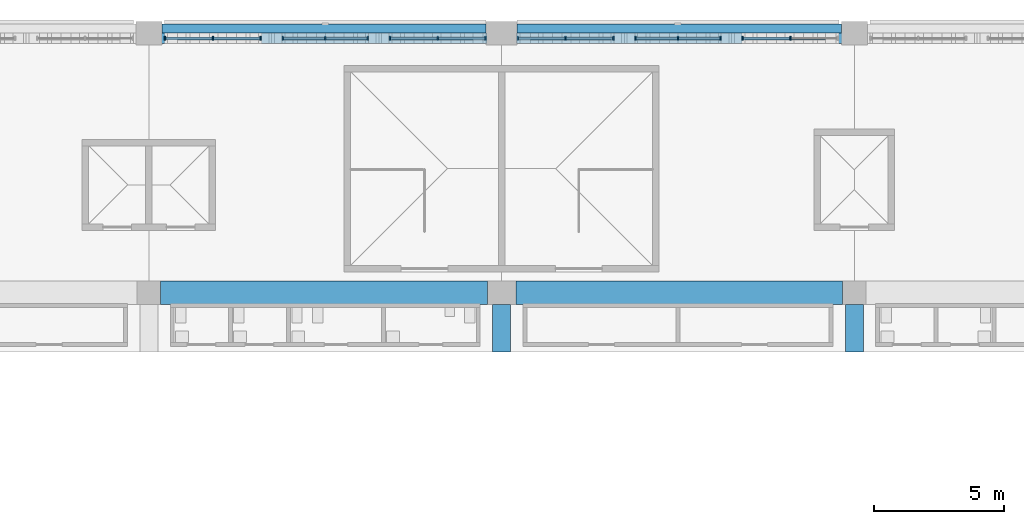
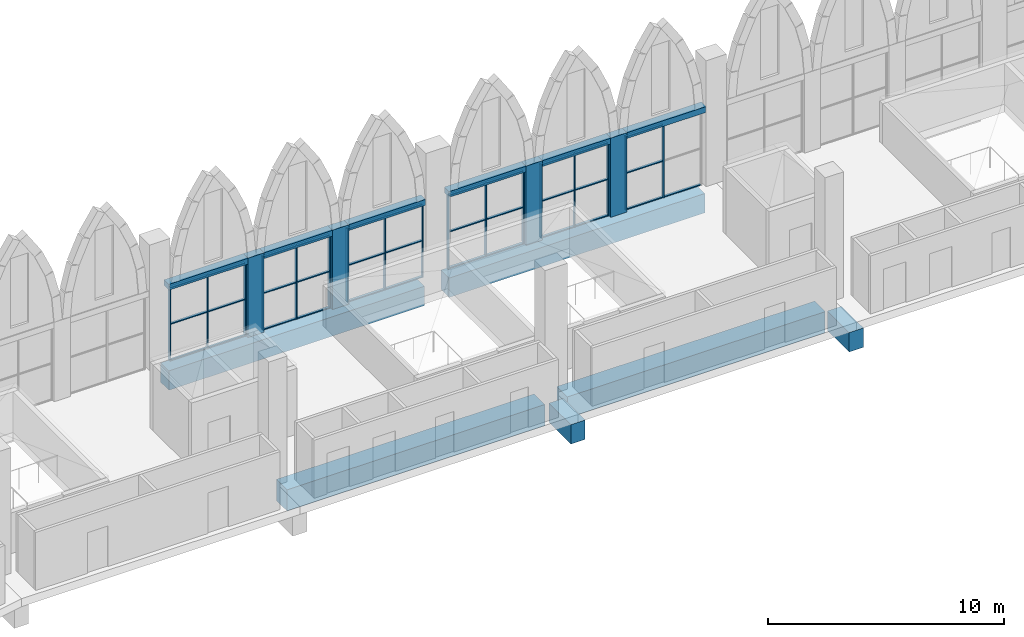
# One storey, part 36 of 130: 55 members, 12 beams, 6 elements without a shape of their own.
"""IFC4 building model written with IfcOpenShell, lengths in metres."""

from ifc_helpers import new_model, si_unit, direction, frame, origin, origin_2d, place, context, subcontext, project, spatial, rectangle, extrude, material, material_profile, profile_set, type_object, element, aggregate, save


model = new_model("IFC4")

# Units and contexts
model_context = context("Model", 3, precision=1e-05, world=origin(), true_north=direction((0.0, 1.0)))
body_context = subcontext(model_context, "Body", "Model", "MODEL_VIEW")
ifc_project = project(units=[si_unit("LENGTHUNIT", "METRE"), si_unit("AREAUNIT", "SQUARE_METRE"), si_unit("VOLUMEUNIT", "CUBIC_METRE"), si_unit("PLANEANGLEUNIT", "RADIAN"), si_unit("MASSUNIT", "GRAM", prefix="KILO")], contexts=[model_context])

# Site, building, storey
site_placement = place(None, origin())
site = spatial("IfcSite", under=ifc_project, at=site_placement, CompositionType="ELEMENT")
building_placement = place(site_placement, origin())
building = spatial("IfcBuilding", under=site, at=building_placement, Name="Ogive Plaza Stadium", CompositionType="ELEMENT")
storey_placement = place(building_placement, frame((0.0, 0.0, 22.5)))
storey = spatial("IfcBuildingStorey", under=building, at=storey_placement, Name="L05", CompositionType="ELEMENT", Elevation=22.5)

# Curtain wall, members
ifc_material_1 = material(Name="Bronze-anodised aluminium with laminated glass", Category="aluminium")
curtain_wall_type = type_object("IfcCurtainWallType", Name="Lancet curtain wall", PredefinedType="NOTDEFINED", material=ifc_material_1)
curtain_wall_1_placement = place(storey_placement, origin())
curtain_wall_1 = element("IfcCurtainWall", 1, at=curtain_wall_1_placement, inside=storey, type_object=curtain_wall_type, Name="CURTAIN WALL B33 L05", PredefinedType="NOTDEFINED")
ifc_material_2 = material(Name="Bronze-anodised aluminium", Category="aluminium")
ifc_material_profile_1 = material_profile(ifc_material_2, rectangle(XDim=0.14990234375, YDim=0.050048828125, at=origin_2d()), Name="AL 150x50")
ifc_profile_set_1 = profile_set([ifc_material_profile_1], Name="Bronze-anodised aluminium")
member_type_1 = type_object("IfcMemberType", Name="Curtain wall mullion 50x150", PredefinedType="MULLION", material=ifc_profile_set_1)
member_1_placement = place(storey_placement, frame((-19.77490234375, 102.300048828125, 0.0), z_axis=(0.0, 0.0, 1.0), x_axis=(0.0, 1.0, 0.0)))
member_1 = element("IfcMember", 2, at=member_1_placement, type_object=member_type_1, Name="CW-B33-L05.1 mullion 1", PredefinedType="MULLION", context=body_context, shape_type="SweptSolid", body=[
    extrude(rectangle(XDim=0.14990234375, YDim=0.050048828125, at=origin_2d()), origin(), (0.0, 0.0, 1.0), 3.800048828125),
])
member_2_placement = place(storey_placement, frame((-17.933349609375, 102.300048828125, 0.0), z_axis=(0.0, 0.0, 1.0), x_axis=(0.0, 1.0, 0.0)))
member_2 = element("IfcMember", 3, at=member_2_placement, type_object=member_type_1, Name="CW-B33-L05.1 mullion 2", PredefinedType="MULLION", context=body_context, shape_type="SweptSolid", body=[
    extrude(rectangle(XDim=0.14990234375, YDim=0.050048828125, at=origin_2d()), origin(), (0.0, 0.0, 1.0), 3.800048828125),
])
member_3_placement = place(storey_placement, frame((-16.091552734375, 102.300048828125, 0.0), z_axis=(0.0, 0.0, 1.0), x_axis=(0.0, 1.0, 0.0)))
member_3 = element("IfcMember", 4, at=member_3_placement, type_object=member_type_1, Name="CW-B33-L05.1 mullion 3", PredefinedType="MULLION", context=body_context, shape_type="SweptSolid", body=[
    extrude(rectangle(XDim=0.14990234375, YDim=0.050048828125, at=origin_2d()), origin(), (0.0, 0.0, 1.0), 3.800048828125),
])

curtain_wall_2_placement = place(storey_placement, origin())
curtain_wall_2 = element("IfcCurtainWall", 5, at=curtain_wall_2_placement, inside=storey, type_object=curtain_wall_type, Name="CURTAIN WALL B33 L05", PredefinedType="NOTDEFINED")
member_4_placement = place(storey_placement, frame((-15.24169921875, 102.300048828125, 0.0), z_axis=(0.0, 0.0, 1.0), x_axis=(0.0, 1.0, 0.0)))
member_4 = element("IfcMember", 6, at=member_4_placement, type_object=member_type_1, Name="CW-B33-L05.2 mullion 1", PredefinedType="MULLION", context=body_context, shape_type="SweptSolid", body=[
    extrude(rectangle(XDim=0.14990234375, YDim=0.050048828125, at=origin_2d()), origin(), (0.0, 0.0, 1.0), 3.800048828125),
])
member_5_placement = place(storey_placement, frame((-13.60009765625, 102.300048828125, 0.0), z_axis=(0.0, 0.0, 1.0), x_axis=(0.0, 1.0, 0.0)))
member_5 = element("IfcMember", 7, at=member_5_placement, type_object=member_type_1, Name="CW-B33-L05.2 mullion 2", PredefinedType="MULLION", context=body_context, shape_type="SweptSolid", body=[
    extrude(rectangle(XDim=0.14990234375, YDim=0.050048828125, at=origin_2d()), origin(), (0.0, 0.0, 1.0), 3.800048828125),
])
member_6_placement = place(storey_placement, frame((-11.958251953125, 102.300048828125, 0.0), z_axis=(0.0, 0.0, 1.0), x_axis=(0.0, 1.0, 0.0)))
member_6 = element("IfcMember", 8, at=member_6_placement, type_object=member_type_1, Name="CW-B33-L05.2 mullion 3", PredefinedType="MULLION", context=body_context, shape_type="SweptSolid", body=[
    extrude(rectangle(XDim=0.14990234375, YDim=0.050048828125, at=origin_2d()), origin(), (0.0, 0.0, 1.0), 3.800048828125),
])

curtain_wall_3_placement = place(storey_placement, origin())
curtain_wall_3 = element("IfcCurtainWall", 9, at=curtain_wall_3_placement, inside=storey, type_object=curtain_wall_type, Name="CURTAIN WALL B33 L05", PredefinedType="NOTDEFINED")
member_7_placement = place(storey_placement, frame((-11.1083984375, 102.300048828125, 0.0), z_axis=(0.0, 0.0, 1.0), x_axis=(0.0, 1.0, 0.0)))
member_7 = element("IfcMember", 10, at=member_7_placement, type_object=member_type_1, Name="CW-B33-L05.3 mullion 1", PredefinedType="MULLION", context=body_context, shape_type="SweptSolid", body=[
    extrude(rectangle(XDim=0.14990234375, YDim=0.050048828125, at=origin_2d()), origin(), (0.0, 0.0, 1.0), 3.800048828125),
])
member_8_placement = place(storey_placement, frame((-9.2666015625, 102.300048828125, 0.0), z_axis=(0.0, 0.0, 1.0), x_axis=(0.0, 1.0, 0.0)))
member_8 = element("IfcMember", 11, at=member_8_placement, type_object=member_type_1, Name="CW-B33-L05.3 mullion 2", PredefinedType="MULLION", context=body_context, shape_type="SweptSolid", body=[
    extrude(rectangle(XDim=0.14990234375, YDim=0.050048828125, at=origin_2d()), origin(), (0.0, 0.0, 1.0), 3.800048828125),
])
member_9_placement = place(storey_placement, frame((-7.425048828125, 102.300048828125, 0.0), z_axis=(0.0, 0.0, 1.0), x_axis=(0.0, 1.0, 0.0)))
member_9 = element("IfcMember", 12, at=member_9_placement, type_object=member_type_1, Name="CW-B33-L05.3 mullion 3", PredefinedType="MULLION", context=body_context, shape_type="SweptSolid", body=[
    extrude(rectangle(XDim=0.14990234375, YDim=0.050048828125, at=origin_2d()), origin(), (0.0, 0.0, 1.0), 3.800048828125),
])

curtain_wall_4_placement = place(storey_placement, origin())
curtain_wall_4 = element("IfcCurtainWall", 13, at=curtain_wall_4_placement, inside=storey, type_object=curtain_wall_type, Name="CURTAIN WALL B34 L05", PredefinedType="NOTDEFINED")
member_10_placement = place(storey_placement, frame((-6.175048828125, 102.300048828125, 0.0), z_axis=(0.0, 0.0, 1.0), x_axis=(0.0, 1.0, 0.0)))
member_10 = element("IfcMember", 14, at=member_10_placement, type_object=member_type_1, Name="CW-B34-L05.1 mullion 1", PredefinedType="MULLION", context=body_context, shape_type="SweptSolid", body=[
    extrude(rectangle(XDim=0.14990234375, YDim=0.050048828125, at=origin_2d()), origin(), (0.0, 0.0, 1.0), 3.800048828125),
])
member_11_placement = place(storey_placement, frame((-4.333251953125, 102.300048828125, 0.0), z_axis=(0.0, 0.0, 1.0), x_axis=(0.0, 1.0, 0.0)))
member_11 = element("IfcMember", 15, at=member_11_placement, type_object=member_type_1, Name="CW-B34-L05.1 mullion 2", PredefinedType="MULLION", context=body_context, shape_type="SweptSolid", body=[
    extrude(rectangle(XDim=0.14990234375, YDim=0.050048828125, at=origin_2d()), origin(), (0.0, 0.0, 1.0), 3.800048828125),
])
member_12_placement = place(storey_placement, frame((-2.49169921875, 102.300048828125, 0.0), z_axis=(0.0, 0.0, 1.0), x_axis=(0.0, 1.0, 0.0)))
member_12 = element("IfcMember", 16, at=member_12_placement, type_object=member_type_1, Name="CW-B34-L05.1 mullion 3", PredefinedType="MULLION", context=body_context, shape_type="SweptSolid", body=[
    extrude(rectangle(XDim=0.14990234375, YDim=0.050048828125, at=origin_2d()), origin(), (0.0, 0.0, 1.0), 3.800048828125),
])

curtain_wall_5_placement = place(storey_placement, origin())
curtain_wall_5 = element("IfcCurtainWall", 17, at=curtain_wall_5_placement, inside=storey, type_object=curtain_wall_type, Name="CURTAIN WALL B34 L05", PredefinedType="NOTDEFINED")
member_13_placement = place(storey_placement, frame((-1.6416015625, 102.300048828125, 0.0), z_axis=(0.0, 0.0, 1.0), x_axis=(0.0, 1.0, 0.0)))
member_13 = element("IfcMember", 18, at=member_13_placement, type_object=member_type_1, Name="CW-B34-L05.2 mullion 1", PredefinedType="MULLION", context=body_context, shape_type="SweptSolid", body=[
    extrude(rectangle(XDim=0.14990234375, YDim=0.050048828125, at=origin_2d()), origin(), (0.0, 0.0, 1.0), 3.800048828125),
])
member_14_placement = place(storey_placement, frame((0.0, 102.300048828125, 0.0), z_axis=(0.0, 0.0, 1.0), x_axis=(0.0, 1.0, 0.0)))
member_14 = element("IfcMember", 19, at=member_14_placement, type_object=member_type_1, Name="CW-B34-L05.2 mullion 2", PredefinedType="MULLION", context=body_context, shape_type="SweptSolid", body=[
    extrude(rectangle(XDim=0.14990234375, YDim=0.050048828125, at=origin_2d()), origin(), (0.0, 0.0, 1.0), 3.800048828125),
])
member_15_placement = place(storey_placement, frame((1.6416015625, 102.300048828125, 0.0), z_axis=(0.0, 0.0, 1.0), x_axis=(0.0, 1.0, 0.0)))
member_15 = element("IfcMember", 20, at=member_15_placement, type_object=member_type_1, Name="CW-B34-L05.2 mullion 3", PredefinedType="MULLION", context=body_context, shape_type="SweptSolid", body=[
    extrude(rectangle(XDim=0.14990234375, YDim=0.050048828125, at=origin_2d()), origin(), (0.0, 0.0, 1.0), 3.800048828125),
])

curtain_wall_6_placement = place(storey_placement, origin())
curtain_wall_6 = element("IfcCurtainWall", 21, at=curtain_wall_6_placement, inside=storey, type_object=curtain_wall_type, Name="CURTAIN WALL B34 L05", PredefinedType="NOTDEFINED")
member_16_placement = place(storey_placement, frame((2.49169921875, 102.300048828125, 0.0), z_axis=(0.0, 0.0, 1.0), x_axis=(0.0, 1.0, 0.0)))
member_16 = element("IfcMember", 22, at=member_16_placement, type_object=member_type_1, Name="CW-B34-L05.3 mullion 1", PredefinedType="MULLION", context=body_context, shape_type="SweptSolid", body=[
    extrude(rectangle(XDim=0.14990234375, YDim=0.050048828125, at=origin_2d()), origin(), (0.0, 0.0, 1.0), 3.800048828125),
])
member_17_placement = place(storey_placement, frame((4.333251953125, 102.300048828125, 0.0), z_axis=(0.0, 0.0, 1.0), x_axis=(0.0, 1.0, 0.0)))
member_17 = element("IfcMember", 23, at=member_17_placement, type_object=member_type_1, Name="CW-B34-L05.3 mullion 2", PredefinedType="MULLION", context=body_context, shape_type="SweptSolid", body=[
    extrude(rectangle(XDim=0.14990234375, YDim=0.050048828125, at=origin_2d()), origin(), (0.0, 0.0, 1.0), 3.800048828125),
])

# Member
ifc_material_3 = material(Name="Bronze-anodised aluminium", Category="aluminium")
ifc_material_profile_2 = material_profile(ifc_material_3, rectangle(XDim=0.1201171875, YDim=0.050048828125, at=origin_2d()), Name="AL 120x50")
ifc_profile_set_2 = profile_set([ifc_material_profile_2], Name="Bronze-anodised aluminium")
member_type_2 = type_object("IfcMemberType", Name="Curtain wall transom 50x120", PredefinedType="USERDEFINED", material=ifc_profile_set_2)
member_18_placement = place(storey_placement, frame((-19.75, 102.300048828125, 0.02490234375), z_axis=(1.0, 0.0, 0.0), x_axis=(0.0, 1.0, 0.0)))
member_18 = element("IfcMember", 24, at=member_18_placement, type_object=member_type_2, Name="CW-B33-L05.1 transom 1.1", ObjectType="TRANSOM", PredefinedType="USERDEFINED", context=body_context, shape_type="SweptSolid", body=[
    extrude(rectangle(XDim=0.1201171875, YDim=0.050048828125, at=origin_2d()), origin(), (0.0, 0.0, 1.0), 1.791748046875),
])

member_19_placement = place(storey_placement, frame((-19.75, 102.300048828125, 1.89990234375), z_axis=(1.0, 0.0, 0.0), x_axis=(0.0, 1.0, 0.0)))
member_19 = element("IfcMember", 25, at=member_19_placement, type_object=member_type_2, Name="CW-B33-L05.1 transom 1.2", ObjectType="TRANSOM", PredefinedType="USERDEFINED", context=body_context, shape_type="SweptSolid", body=[
    extrude(rectangle(XDim=0.1201171875, YDim=0.050048828125, at=origin_2d()), origin(), (0.0, 0.0, 1.0), 1.791748046875),
])

member_20_placement = place(storey_placement, frame((-19.75, 102.300048828125, 3.77490234375), z_axis=(1.0, 0.0, 0.0), x_axis=(0.0, 1.0, 0.0)))
member_20 = element("IfcMember", 26, at=member_20_placement, type_object=member_type_2, Name="CW-B33-L05.1 transom 1.3", ObjectType="TRANSOM", PredefinedType="USERDEFINED", context=body_context, shape_type="SweptSolid", body=[
    extrude(rectangle(XDim=0.1201171875, YDim=0.050048828125, at=origin_2d()), origin(), (0.0, 0.0, 1.0), 1.791748046875),
])

member_21_placement = place(storey_placement, frame((-17.908447265625, 102.300048828125, 0.02490234375), z_axis=(1.0, 0.0, 0.0), x_axis=(0.0, 1.0, 0.0)))
member_21 = element("IfcMember", 27, at=member_21_placement, type_object=member_type_2, Name="CW-B33-L05.1 transom 2.1", ObjectType="TRANSOM", PredefinedType="USERDEFINED", context=body_context, shape_type="SweptSolid", body=[
    extrude(rectangle(XDim=0.1201171875, YDim=0.050048828125, at=origin_2d()), origin(), (0.0, 0.0, 1.0), 1.791748046875),
])

member_22_placement = place(storey_placement, frame((-17.908447265625, 102.300048828125, 1.89990234375), z_axis=(1.0, 0.0, 0.0), x_axis=(0.0, 1.0, 0.0)))
member_22 = element("IfcMember", 28, at=member_22_placement, type_object=member_type_2, Name="CW-B33-L05.1 transom 2.2", ObjectType="TRANSOM", PredefinedType="USERDEFINED", context=body_context, shape_type="SweptSolid", body=[
    extrude(rectangle(XDim=0.1201171875, YDim=0.050048828125, at=origin_2d()), origin(), (0.0, 0.0, 1.0), 1.791748046875),
])

member_23_placement = place(storey_placement, frame((-17.908447265625, 102.300048828125, 3.77490234375), z_axis=(1.0, 0.0, 0.0), x_axis=(0.0, 1.0, 0.0)))
member_23 = element("IfcMember", 29, at=member_23_placement, type_object=member_type_2, Name="CW-B33-L05.1 transom 2.3", ObjectType="TRANSOM", PredefinedType="USERDEFINED", context=body_context, shape_type="SweptSolid", body=[
    extrude(rectangle(XDim=0.1201171875, YDim=0.050048828125, at=origin_2d()), origin(), (0.0, 0.0, 1.0), 1.791748046875),
])

aggregate(curtain_wall_1, [member_1, member_2, member_3, member_18, member_19, member_20, member_21, member_22, member_23])

member_24_placement = place(storey_placement, frame((-15.216552734375, 102.300048828125, 0.02490234375), z_axis=(1.0, 0.0, 0.0), x_axis=(0.0, 1.0, 0.0)))
member_24 = element("IfcMember", 30, at=member_24_placement, type_object=member_type_2, Name="CW-B33-L05.2 transom 1.1", ObjectType="TRANSOM", PredefinedType="USERDEFINED", context=body_context, shape_type="SweptSolid", body=[
    extrude(rectangle(XDim=0.1201171875, YDim=0.050048828125, at=origin_2d()), origin(), (0.0, 0.0, 1.0), 1.591552734375),
])

member_25_placement = place(storey_placement, frame((-15.216552734375, 102.300048828125, 1.89990234375), z_axis=(1.0, 0.0, 0.0), x_axis=(0.0, 1.0, 0.0)))
member_25 = element("IfcMember", 31, at=member_25_placement, type_object=member_type_2, Name="CW-B33-L05.2 transom 1.2", ObjectType="TRANSOM", PredefinedType="USERDEFINED", context=body_context, shape_type="SweptSolid", body=[
    extrude(rectangle(XDim=0.1201171875, YDim=0.050048828125, at=origin_2d()), origin(), (0.0, 0.0, 1.0), 1.591552734375),
])

member_26_placement = place(storey_placement, frame((-15.216552734375, 102.300048828125, 3.77490234375), z_axis=(1.0, 0.0, 0.0), x_axis=(0.0, 1.0, 0.0)))
member_26 = element("IfcMember", 32, at=member_26_placement, type_object=member_type_2, Name="CW-B33-L05.2 transom 1.3", ObjectType="TRANSOM", PredefinedType="USERDEFINED", context=body_context, shape_type="SweptSolid", body=[
    extrude(rectangle(XDim=0.1201171875, YDim=0.050048828125, at=origin_2d()), origin(), (0.0, 0.0, 1.0), 1.591552734375),
])

member_27_placement = place(storey_placement, frame((-13.574951171875, 102.300048828125, 0.02490234375), z_axis=(1.0, 0.0, 0.0), x_axis=(0.0, 1.0, 0.0)))
member_27 = element("IfcMember", 33, at=member_27_placement, type_object=member_type_2, Name="CW-B33-L05.2 transom 2.1", ObjectType="TRANSOM", PredefinedType="USERDEFINED", context=body_context, shape_type="SweptSolid", body=[
    extrude(rectangle(XDim=0.1201171875, YDim=0.050048828125, at=origin_2d()), origin(), (0.0, 0.0, 1.0), 1.591552734375),
])

member_28_placement = place(storey_placement, frame((-13.574951171875, 102.300048828125, 1.89990234375), z_axis=(1.0, 0.0, 0.0), x_axis=(0.0, 1.0, 0.0)))
member_28 = element("IfcMember", 34, at=member_28_placement, type_object=member_type_2, Name="CW-B33-L05.2 transom 2.2", ObjectType="TRANSOM", PredefinedType="USERDEFINED", context=body_context, shape_type="SweptSolid", body=[
    extrude(rectangle(XDim=0.1201171875, YDim=0.050048828125, at=origin_2d()), origin(), (0.0, 0.0, 1.0), 1.591552734375),
])

member_29_placement = place(storey_placement, frame((-13.574951171875, 102.300048828125, 3.77490234375), z_axis=(1.0, 0.0, 0.0), x_axis=(0.0, 1.0, 0.0)))
member_29 = element("IfcMember", 35, at=member_29_placement, type_object=member_type_2, Name="CW-B33-L05.2 transom 2.3", ObjectType="TRANSOM", PredefinedType="USERDEFINED", context=body_context, shape_type="SweptSolid", body=[
    extrude(rectangle(XDim=0.1201171875, YDim=0.050048828125, at=origin_2d()), origin(), (0.0, 0.0, 1.0), 1.591552734375),
])

aggregate(curtain_wall_2, [member_4, member_5, member_6, member_24, member_25, member_26, member_27, member_28, member_29])

member_30_placement = place(storey_placement, frame((-11.083251953125, 102.300048828125, 0.02490234375), z_axis=(1.0, 0.0, 0.0), x_axis=(0.0, 1.0, 0.0)))
member_30 = element("IfcMember", 36, at=member_30_placement, type_object=member_type_2, Name="CW-B33-L05.3 transom 1.1", ObjectType="TRANSOM", PredefinedType="USERDEFINED", context=body_context, shape_type="SweptSolid", body=[
    extrude(rectangle(XDim=0.1201171875, YDim=0.050048828125, at=origin_2d()), origin(), (0.0, 0.0, 1.0), 1.79150390625),
])

member_31_placement = place(storey_placement, frame((-11.083251953125, 102.300048828125, 1.89990234375), z_axis=(1.0, 0.0, 0.0), x_axis=(0.0, 1.0, 0.0)))
member_31 = element("IfcMember", 37, at=member_31_placement, type_object=member_type_2, Name="CW-B33-L05.3 transom 1.2", ObjectType="TRANSOM", PredefinedType="USERDEFINED", context=body_context, shape_type="SweptSolid", body=[
    extrude(rectangle(XDim=0.1201171875, YDim=0.050048828125, at=origin_2d()), origin(), (0.0, 0.0, 1.0), 1.79150390625),
])

member_32_placement = place(storey_placement, frame((-11.083251953125, 102.300048828125, 3.77490234375), z_axis=(1.0, 0.0, 0.0), x_axis=(0.0, 1.0, 0.0)))
member_32 = element("IfcMember", 38, at=member_32_placement, type_object=member_type_2, Name="CW-B33-L05.3 transom 1.3", ObjectType="TRANSOM", PredefinedType="USERDEFINED", context=body_context, shape_type="SweptSolid", body=[
    extrude(rectangle(XDim=0.1201171875, YDim=0.050048828125, at=origin_2d()), origin(), (0.0, 0.0, 1.0), 1.79150390625),
])

member_33_placement = place(storey_placement, frame((-9.24169921875, 102.300048828125, 0.02490234375), z_axis=(1.0, 0.0, 0.0), x_axis=(0.0, 1.0, 0.0)))
member_33 = element("IfcMember", 39, at=member_33_placement, type_object=member_type_2, Name="CW-B33-L05.3 transom 2.1", ObjectType="TRANSOM", PredefinedType="USERDEFINED", context=body_context, shape_type="SweptSolid", body=[
    extrude(rectangle(XDim=0.1201171875, YDim=0.050048828125, at=origin_2d()), origin(), (0.0, 0.0, 1.0), 1.791748046875),
])

member_34_placement = place(storey_placement, frame((-9.24169921875, 102.300048828125, 1.89990234375), z_axis=(1.0, 0.0, 0.0), x_axis=(0.0, 1.0, 0.0)))
member_34 = element("IfcMember", 40, at=member_34_placement, type_object=member_type_2, Name="CW-B33-L05.3 transom 2.2", ObjectType="TRANSOM", PredefinedType="USERDEFINED", context=body_context, shape_type="SweptSolid", body=[
    extrude(rectangle(XDim=0.1201171875, YDim=0.050048828125, at=origin_2d()), origin(), (0.0, 0.0, 1.0), 1.791748046875),
])

member_35_placement = place(storey_placement, frame((-9.24169921875, 102.300048828125, 3.77490234375), z_axis=(1.0, 0.0, 0.0), x_axis=(0.0, 1.0, 0.0)))
member_35 = element("IfcMember", 41, at=member_35_placement, type_object=member_type_2, Name="CW-B33-L05.3 transom 2.3", ObjectType="TRANSOM", PredefinedType="USERDEFINED", context=body_context, shape_type="SweptSolid", body=[
    extrude(rectangle(XDim=0.1201171875, YDim=0.050048828125, at=origin_2d()), origin(), (0.0, 0.0, 1.0), 1.791748046875),
])

aggregate(curtain_wall_3, [member_7, member_8, member_9, member_30, member_31, member_32, member_33, member_34, member_35])

member_36_placement = place(storey_placement, frame((-6.14990234375, 102.300048828125, 0.02490234375), z_axis=(1.0, 0.0, 0.0), x_axis=(0.0, 1.0, 0.0)))
member_36 = element("IfcMember", 42, at=member_36_placement, type_object=member_type_2, Name="CW-B34-L05.1 transom 1.1", ObjectType="TRANSOM", PredefinedType="USERDEFINED", context=body_context, shape_type="SweptSolid", body=[
    extrude(rectangle(XDim=0.1201171875, YDim=0.050048828125, at=origin_2d()), origin(), (0.0, 0.0, 1.0), 1.79150390625),
])

member_37_placement = place(storey_placement, frame((-6.14990234375, 102.300048828125, 1.89990234375), z_axis=(1.0, 0.0, 0.0), x_axis=(0.0, 1.0, 0.0)))
member_37 = element("IfcMember", 43, at=member_37_placement, type_object=member_type_2, Name="CW-B34-L05.1 transom 1.2", ObjectType="TRANSOM", PredefinedType="USERDEFINED", context=body_context, shape_type="SweptSolid", body=[
    extrude(rectangle(XDim=0.1201171875, YDim=0.050048828125, at=origin_2d()), origin(), (0.0, 0.0, 1.0), 1.79150390625),
])

member_38_placement = place(storey_placement, frame((-6.14990234375, 102.300048828125, 3.77490234375), z_axis=(1.0, 0.0, 0.0), x_axis=(0.0, 1.0, 0.0)))
member_38 = element("IfcMember", 44, at=member_38_placement, type_object=member_type_2, Name="CW-B34-L05.1 transom 1.3", ObjectType="TRANSOM", PredefinedType="USERDEFINED", context=body_context, shape_type="SweptSolid", body=[
    extrude(rectangle(XDim=0.1201171875, YDim=0.050048828125, at=origin_2d()), origin(), (0.0, 0.0, 1.0), 1.79150390625),
])

member_39_placement = place(storey_placement, frame((-4.308349609375, 102.300048828125, 0.02490234375), z_axis=(1.0, 0.0, 0.0), x_axis=(0.0, 1.0, 0.0)))
member_39 = element("IfcMember", 45, at=member_39_placement, type_object=member_type_2, Name="CW-B34-L05.1 transom 2.1", ObjectType="TRANSOM", PredefinedType="USERDEFINED", context=body_context, shape_type="SweptSolid", body=[
    extrude(rectangle(XDim=0.1201171875, YDim=0.050048828125, at=origin_2d()), origin(), (0.0, 0.0, 1.0), 1.791748046875),
])

member_40_placement = place(storey_placement, frame((-4.308349609375, 102.300048828125, 1.89990234375), z_axis=(1.0, 0.0, 0.0), x_axis=(0.0, 1.0, 0.0)))
member_40 = element("IfcMember", 46, at=member_40_placement, type_object=member_type_2, Name="CW-B34-L05.1 transom 2.2", ObjectType="TRANSOM", PredefinedType="USERDEFINED", context=body_context, shape_type="SweptSolid", body=[
    extrude(rectangle(XDim=0.1201171875, YDim=0.050048828125, at=origin_2d()), origin(), (0.0, 0.0, 1.0), 1.791748046875),
])

member_41_placement = place(storey_placement, frame((-4.308349609375, 102.300048828125, 3.77490234375), z_axis=(1.0, 0.0, 0.0), x_axis=(0.0, 1.0, 0.0)))
member_41 = element("IfcMember", 47, at=member_41_placement, type_object=member_type_2, Name="CW-B34-L05.1 transom 2.3", ObjectType="TRANSOM", PredefinedType="USERDEFINED", context=body_context, shape_type="SweptSolid", body=[
    extrude(rectangle(XDim=0.1201171875, YDim=0.050048828125, at=origin_2d()), origin(), (0.0, 0.0, 1.0), 1.791748046875),
])

aggregate(curtain_wall_4, [member_10, member_11, member_12, member_36, member_37, member_38, member_39, member_40, member_41])

member_42_placement = place(storey_placement, frame((-1.61669921875, 102.300048828125, 0.02490234375), z_axis=(1.0, 0.0, 0.0), x_axis=(0.0, 1.0, 0.0)))
member_42 = element("IfcMember", 48, at=member_42_placement, type_object=member_type_2, Name="CW-B34-L05.2 transom 1.1", ObjectType="TRANSOM", PredefinedType="USERDEFINED", context=body_context, shape_type="SweptSolid", body=[
    extrude(rectangle(XDim=0.1201171875, YDim=0.050048828125, at=origin_2d()), origin(), (0.0, 0.0, 1.0), 1.591796875),
])

member_43_placement = place(storey_placement, frame((-1.61669921875, 102.300048828125, 1.89990234375), z_axis=(1.0, 0.0, 0.0), x_axis=(0.0, 1.0, 0.0)))
member_43 = element("IfcMember", 49, at=member_43_placement, type_object=member_type_2, Name="CW-B34-L05.2 transom 1.2", ObjectType="TRANSOM", PredefinedType="USERDEFINED", context=body_context, shape_type="SweptSolid", body=[
    extrude(rectangle(XDim=0.1201171875, YDim=0.050048828125, at=origin_2d()), origin(), (0.0, 0.0, 1.0), 1.591796875),
])

member_44_placement = place(storey_placement, frame((-1.61669921875, 102.300048828125, 3.77490234375), z_axis=(1.0, 0.0, 0.0), x_axis=(0.0, 1.0, 0.0)))
member_44 = element("IfcMember", 50, at=member_44_placement, type_object=member_type_2, Name="CW-B34-L05.2 transom 1.3", ObjectType="TRANSOM", PredefinedType="USERDEFINED", context=body_context, shape_type="SweptSolid", body=[
    extrude(rectangle(XDim=0.1201171875, YDim=0.050048828125, at=origin_2d()), origin(), (0.0, 0.0, 1.0), 1.591796875),
])

member_45_placement = place(storey_placement, frame((0.02490234375, 102.300048828125, 0.02490234375), z_axis=(1.0, 0.0, 0.0), x_axis=(0.0, 1.0, 0.0)))
member_45 = element("IfcMember", 51, at=member_45_placement, type_object=member_type_2, Name="CW-B34-L05.2 transom 2.1", ObjectType="TRANSOM", PredefinedType="USERDEFINED", context=body_context, shape_type="SweptSolid", body=[
    extrude(rectangle(XDim=0.1201171875, YDim=0.050048828125, at=origin_2d()), origin(), (0.0, 0.0, 1.0), 1.591796875),
])

member_46_placement = place(storey_placement, frame((0.02490234375, 102.300048828125, 1.89990234375), z_axis=(1.0, 0.0, 0.0), x_axis=(0.0, 1.0, 0.0)))
member_46 = element("IfcMember", 52, at=member_46_placement, type_object=member_type_2, Name="CW-B34-L05.2 transom 2.2", ObjectType="TRANSOM", PredefinedType="USERDEFINED", context=body_context, shape_type="SweptSolid", body=[
    extrude(rectangle(XDim=0.1201171875, YDim=0.050048828125, at=origin_2d()), origin(), (0.0, 0.0, 1.0), 1.591796875),
])

member_47_placement = place(storey_placement, frame((0.02490234375, 102.300048828125, 3.77490234375), z_axis=(1.0, 0.0, 0.0), x_axis=(0.0, 1.0, 0.0)))
member_47 = element("IfcMember", 53, at=member_47_placement, type_object=member_type_2, Name="CW-B34-L05.2 transom 2.3", ObjectType="TRANSOM", PredefinedType="USERDEFINED", context=body_context, shape_type="SweptSolid", body=[
    extrude(rectangle(XDim=0.1201171875, YDim=0.050048828125, at=origin_2d()), origin(), (0.0, 0.0, 1.0), 1.591796875),
])

aggregate(curtain_wall_5, [member_13, member_14, member_15, member_42, member_43, member_44, member_45, member_46, member_47])

member_48_placement = place(storey_placement, frame((2.5166015625, 102.300048828125, 0.02490234375), z_axis=(1.0, 0.0, 0.0), x_axis=(0.0, 1.0, 0.0)))
member_48 = element("IfcMember", 54, at=member_48_placement, type_object=member_type_2, Name="CW-B34-L05.3 transom 1.1", ObjectType="TRANSOM", PredefinedType="USERDEFINED", context=body_context, shape_type="SweptSolid", body=[
    extrude(rectangle(XDim=0.1201171875, YDim=0.050048828125, at=origin_2d()), origin(), (0.0, 0.0, 1.0), 1.791748046875),
])

member_49_placement = place(storey_placement, frame((2.5166015625, 102.300048828125, 1.89990234375), z_axis=(1.0, 0.0, 0.0), x_axis=(0.0, 1.0, 0.0)))
member_49 = element("IfcMember", 55, at=member_49_placement, type_object=member_type_2, Name="CW-B34-L05.3 transom 1.2", ObjectType="TRANSOM", PredefinedType="USERDEFINED", context=body_context, shape_type="SweptSolid", body=[
    extrude(rectangle(XDim=0.1201171875, YDim=0.050048828125, at=origin_2d()), origin(), (0.0, 0.0, 1.0), 1.791748046875),
])

member_50_placement = place(storey_placement, frame((2.5166015625, 102.300048828125, 3.77490234375), z_axis=(1.0, 0.0, 0.0), x_axis=(0.0, 1.0, 0.0)))
member_50 = element("IfcMember", 56, at=member_50_placement, type_object=member_type_2, Name="CW-B34-L05.3 transom 1.3", ObjectType="TRANSOM", PredefinedType="USERDEFINED", context=body_context, shape_type="SweptSolid", body=[
    extrude(rectangle(XDim=0.1201171875, YDim=0.050048828125, at=origin_2d()), origin(), (0.0, 0.0, 1.0), 1.791748046875),
])

member_51_placement = place(storey_placement, frame((4.3583984375, 102.300048828125, 0.02490234375), z_axis=(1.0, 0.0, 0.0), x_axis=(0.0, 1.0, 0.0)))
member_51 = element("IfcMember", 57, at=member_51_placement, type_object=member_type_2, Name="CW-B34-L05.3 transom 2.1", ObjectType="TRANSOM", PredefinedType="USERDEFINED", context=body_context, shape_type="SweptSolid", body=[
    extrude(rectangle(XDim=0.1201171875, YDim=0.050048828125, at=origin_2d()), origin(), (0.0, 0.0, 1.0), 1.79150390625),
])

aggregate(curtain_wall_6, [member_16, member_17, member_48, member_49, member_50, member_51])

# Members
ifc_material_4 = material(Name="Concrete C45/55 precast", Category="concrete")
ifc_material_profile_3 = material_profile(ifc_material_4, rectangle(XDim=0.39990234375, YDim=0.800048828125, at=origin_2d()), Name="RC 400x800")
ifc_profile_set_3 = profile_set([ifc_material_profile_3], Name="Concrete C45/55 precast")
member_type_3 = type_object("IfcMemberType", Name="Precast colonette 800x400", PredefinedType="POST", material=ifc_profile_set_3)
for number, where, z_axis, x_axis, name in (
    (58, (-15.666748046875, 102.300048828125, 0.0), (0.0, 0.0, 1.0), (0.0, 1.0, 0.0), "COLONETTE B33 1"),
    (59, (-11.533447265625, 102.300048828125, 0.0), (0.0, 0.0, 1.0), (0.0, 1.0, 0.0), "COLONETTE B33 2"),
    (60, (-2.066650390625, 102.300048828125, 0.0), (0.0, 0.0, 1.0), (0.0, 1.0, 0.0), "COLONETTE B34 1"),
    (61, (2.066650390625, 102.300048828125, 0.0), (0.0, 0.0, 1.0), (0.0, 1.0, 0.0), "COLONETTE B34 2"),
):
    element("IfcMember", number, at=place(storey_placement, frame(where, z_axis=z_axis, x_axis=x_axis)), inside=storey, type_object=member_type_3, Name=name, PredefinedType="POST", context=body_context, shape_type="SweptSolid", body=[
        extrude(rectangle(XDim=0.39990234375, YDim=0.800048828125, at=origin_2d()), origin(), (0.0, 0.0, 1.0), 4.10009765625),
    ])

# Beams
ifc_material_5 = material(Name="Concrete C45/55 precast", Category="concrete")
ifc_material_profile_4 = material_profile(ifc_material_5, rectangle(XDim=0.39990234375, YDim=0.300048828125, at=origin_2d()), Name="RC 400x300")
ifc_profile_set_4 = profile_set([ifc_material_profile_4], Name="Concrete C45/55 precast")
beam_type_1 = type_object("IfcBeamType", Name="Precast tympanum lintel 400x300", PredefinedType="BEAM", material=ifc_profile_set_4)
beam_1_placement = place(storey_placement, frame((-19.929931640625, 102.300048828125, 3.949951171875), z_axis=(1.0, 0.0, 0.0), x_axis=(0.0, 1.0, 0.0)))
element("IfcBeam", 62, at=beam_1_placement, inside=storey, type_object=beam_type_1, Name="TYMPANUM LINTEL B33 1", PredefinedType="BEAM", context=body_context, shape_type="SweptSolid", body=[
    extrude(rectangle(XDim=0.39990234375, YDim=0.300048828125, at=origin_2d()), origin(), (0.0, 0.0, 1.0), 3.893310546875),
])
beam_2_placement = place(storey_placement, frame((-15.296630859375, 102.300048828125, 3.949951171875), z_axis=(1.0, 0.0, 0.0), x_axis=(0.0, 1.0, 0.0)))
element("IfcBeam", 63, at=beam_2_placement, inside=storey, type_object=beam_type_1, Name="TYMPANUM LINTEL B33 2", PredefinedType="BEAM", context=body_context, shape_type="SweptSolid", body=[
    extrude(rectangle(XDim=0.39990234375, YDim=0.300048828125, at=origin_2d()), origin(), (0.0, 0.0, 1.0), 3.393310546875),
])
for number, where, z_axis, x_axis, name in (
    (64, (-11.163330078125, 102.300048828125, 3.949951171875), (1.0, 0.0, 0.0), (0.0, 1.0, 0.0), "TYMPANUM LINTEL B33 3"),
    (65, (-6.22998046875, 102.300048828125, 3.949951171875), (1.0, 0.0, 0.0), (0.0, 1.0, 0.0), "TYMPANUM LINTEL B34 1"),
):
    element("IfcBeam", number, at=place(storey_placement, frame(where, z_axis=z_axis, x_axis=x_axis)), inside=storey, type_object=beam_type_1, Name=name, PredefinedType="BEAM", context=body_context, shape_type="SweptSolid", body=[
        extrude(rectangle(XDim=0.39990234375, YDim=0.300048828125, at=origin_2d()), origin(), (0.0, 0.0, 1.0), 3.793212890625),
    ])
beam_3_placement = place(storey_placement, frame((-1.69677734375, 102.300048828125, 3.949951171875), z_axis=(1.0, 0.0, 0.0), x_axis=(0.0, 1.0, 0.0)))
element("IfcBeam", 66, at=beam_3_placement, inside=storey, type_object=beam_type_1, Name="TYMPANUM LINTEL B34 2", PredefinedType="BEAM", context=body_context, shape_type="SweptSolid", body=[
    extrude(rectangle(XDim=0.39990234375, YDim=0.300048828125, at=origin_2d()), origin(), (0.0, 0.0, 1.0), 3.3935546875),
])
beam_4_placement = place(storey_placement, frame((2.436767578125, 102.300048828125, 3.949951171875), z_axis=(1.0, 0.0, 0.0), x_axis=(0.0, 1.0, 0.0)))
element("IfcBeam", 67, at=beam_4_placement, inside=storey, type_object=beam_type_1, Name="TYMPANUM LINTEL B34 3", PredefinedType="BEAM", context=body_context, shape_type="SweptSolid", body=[
    extrude(rectangle(XDim=0.39990234375, YDim=0.300048828125, at=origin_2d()), origin(), (0.0, 0.0, 1.0), 3.893310546875),
])
ifc_material_6 = material(Name="Concrete C40/50", Category="concrete")
ifc_material_profile_5 = material_profile(ifc_material_6, rectangle(XDim=0.699951171875, YDim=1.0, at=origin_2d()), Name="RC 700x1000")
ifc_profile_set_5 = profile_set([ifc_material_profile_5], Name="Concrete C40/50")
beam_type_2 = type_object("IfcBeamType", Name="RC radial beam 700x1000", PredefinedType="BEAM", material=ifc_profile_set_5)
for number, where, z_axis, x_axis, name in (
    (68, (-6.800048828125, 90.199951171875, -0.909912109375), (0.0, 1.0, 0.0), (-1.0, 0.0, 0.0), "Raker tail beam UT R34"),
    (69, (6.800048828125, 90.199951171875, -0.909912109375), (0.0, 1.0, 0.0), (-1.0, 0.0, 0.0), "Raker tail beam UT R35"),
):
    element("IfcBeam", number, at=place(storey_placement, frame(where, z_axis=z_axis, x_axis=x_axis)), inside=storey, type_object=beam_type_2, Name=name, PredefinedType="BEAM", context=body_context, shape_type="SweptSolid", body=[
        extrude(rectangle(XDim=0.699951171875, YDim=1.0, at=origin_2d()), origin(), (0.0, 0.0, 1.0), 1.85009765625),
    ])
ifc_material_7 = material(Name="Concrete C40/50", Category="concrete")
ifc_material_profile_6 = material_profile(ifc_material_7, rectangle(XDim=0.89990234375, YDim=1.10009765625, at=origin_2d()), Name="RC 900x1100")
ifc_profile_set_6 = profile_set([ifc_material_profile_6], Name="Concrete C40/50")
beam_type_3 = type_object("IfcBeamType", Name="RC ring beam 900x1100", PredefinedType="BEAM", material=ifc_profile_set_6)
beam_5_placement = place(storey_placement, frame((-19.949951171875, 92.5, -0.9599609375), z_axis=(1.0, 0.0, 0.0), x_axis=(0.0, 1.0, 0.0)))
element("IfcBeam", 70, at=beam_5_placement, inside=storey, type_object=beam_type_3, Name="Ring beam F4 L05 B33", PredefinedType="BEAM", context=body_context, shape_type="SweptSolid", body=[
    extrude(rectangle(XDim=0.89990234375, YDim=1.10009765625, at=origin_2d()), origin(), (0.0, 0.0, 1.0), 12.599853515625),
])
beam_6_placement = place(storey_placement, frame((-6.25, 92.5, -0.9599609375), z_axis=(1.0, 0.0, 0.0), x_axis=(0.0, 1.0, 0.0)))
element("IfcBeam", 71, at=beam_6_placement, inside=storey, type_object=beam_type_3, Name="Ring beam F4 L05 B34", PredefinedType="BEAM", context=body_context, shape_type="SweptSolid", body=[
    extrude(rectangle(XDim=0.89990234375, YDim=1.10009765625, at=origin_2d()), origin(), (0.0, 0.0, 1.0), 12.60009765625),
])
ifc_material_8 = material(Name="Concrete C40/50", Category="concrete")
ifc_material_profile_7 = material_profile(ifc_material_8, rectangle(XDim=0.699951171875, YDim=1.0, at=origin_2d()), Name="RC 700x1000")
ifc_profile_set_7 = profile_set([ifc_material_profile_7], Name="Concrete C40/50")
beam_type_4 = type_object("IfcBeamType", Name="RC spandrel beam 700x1000", PredefinedType="SPANDREL", material=ifc_profile_set_7)
for number, where, z_axis, x_axis, name in (
    (72, (-19.89990234375, 102.5, -0.909912109375), (1.0, 0.0, 0.0), (0.0, 1.0, 0.0), "Ring beam F5 L05 B33"),
    (73, (-6.199951171875, 102.5, -0.909912109375), (1.0, 0.0, 0.0), (0.0, 1.0, 0.0), "Ring beam F5 L05 B34"),
):
    element("IfcBeam", number, at=place(storey_placement, frame(where, z_axis=z_axis, x_axis=x_axis)), inside=storey, type_object=beam_type_4, Name=name, PredefinedType="SPANDREL", context=body_context, shape_type="SweptSolid", body=[
        extrude(rectangle(XDim=0.699951171875, YDim=1.0, at=origin_2d()), origin(), (0.0, 0.0, 1.0), 12.5),
    ])

save(model, "model.ifc")
